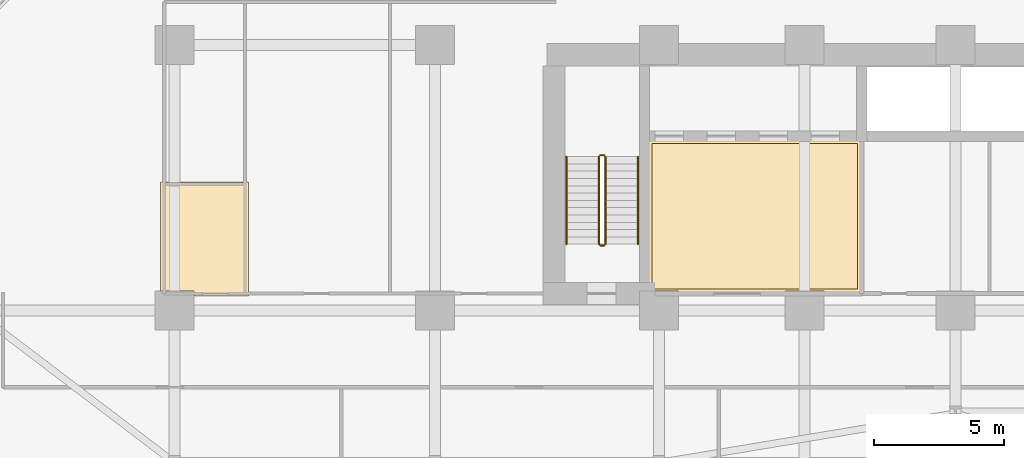
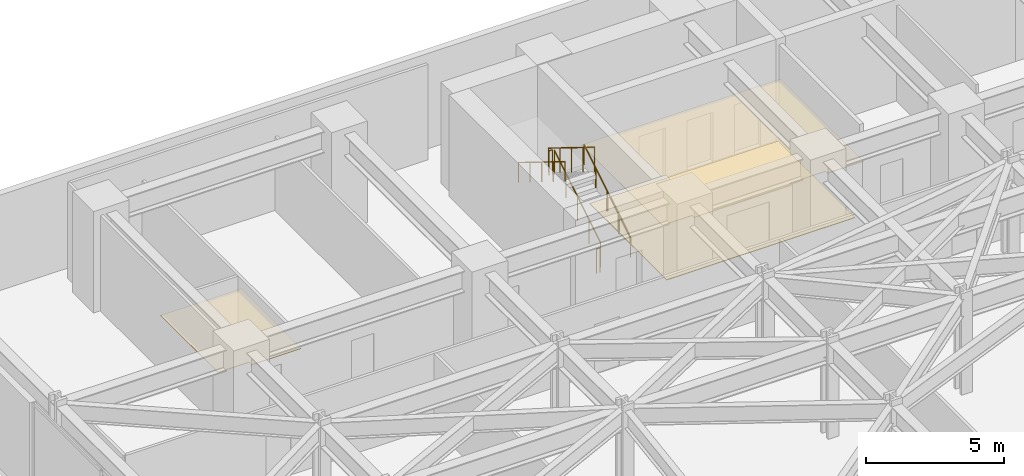
# One storey, part 27 of 28: 6 railings, 3 coverings.
"""IFC4 building model written with IfcOpenShell, lengths in metres."""

import ifcopenshell
import ifcopenshell.guid

model = None  # the IFC model being written
_history = None  # IfcOwnerHistory: only IFC2X3 demands one
_inside = {}  # id of a spatial element -> (the spatial element, [elements in it])
_under = {}  # id of a project, library or spatial element -> (it, [spatial elements below it])
_declared = {}  # id of a project -> (the project, [libraries it declares])
_typed = {}  # id of a type object -> (the type object, [elements of that type])
_made_of = {}  # id of a material, layer set ... -> (it, [elements and type objects made of it])


def new_model(schema):
    """Start an empty IFC model of exactly this schema.

    Asked for "IFC4X3", IfcOpenShell would pick the latest addendum, in which some entities
    have other attributes; the version numbers below select the first issue.
    IFC2X3 requires an IfcOwnerHistory on every rooted entity: one is made here for all.
    """
    global model, _history
    if schema == "IFC4X3":
        model = ifcopenshell.file(schema_version=(4, 3, 0, 0))
    else:
        model = ifcopenshell.file(schema=schema)
    _inside.clear()
    _under.clear()
    _declared.clear()
    _typed.clear()
    _made_of.clear()
    _history = None
    if model.schema == "IFC2X3":
        org = make("IfcOrganization", Name="unknown")
        user = make(
            "IfcPersonAndOrganization",
            ThePerson=make("IfcPerson", FamilyName="unknown"),
            TheOrganization=org,
        )
        app = make(
            "IfcApplication",
            ApplicationDeveloper=org,
            Version="unknown",
            ApplicationFullName="unknown",
            ApplicationIdentifier="unknown",
        )
        _history = make(
            "IfcOwnerHistory",
            OwningUser=user,
            OwningApplication=app,
            ChangeAction="ADDED",
            CreationDate=0,
        )
    return model


def make(cls, **values):
    """One entity of the class cls with the attributes given. An attribute that is None is left unset."""
    return model.create_entity(
        cls, **{name: value for name, value in values.items() if value is not None}
    )


def rooted(cls, **values):
    """An entity with a GlobalId (a new one), such as an element, a storey or a relation."""
    return make(cls, GlobalId=ifcopenshell.guid.new(), OwnerHistory=_history, **values)


def si_unit(unit_type, name, prefix=None):
    """IfcSIUnit, for example si_unit("LENGTHUNIT", "METRE", prefix="MILLI")."""
    return make("IfcSIUnit", UnitType=unit_type, Prefix=prefix, Name=name)


def assignment(units):
    """IfcUnitAssignment: the units of a project."""
    return None if units is None else make("IfcUnitAssignment", Units=units)


def point(xyz):
    """IfcCartesianPoint."""
    return None if xyz is None else make("IfcCartesianPoint", Coordinates=xyz)


def direction(xyz):
    """IfcDirection."""
    return None if xyz is None else make("IfcDirection", DirectionRatios=xyz)


def frame(location, z_axis=None, x_axis=None):
    """IfcAxis2Placement3D, a coordinate frame: its origin and axes. An axis left out is left unset."""
    return make(
        "IfcAxis2Placement3D",
        Location=point(location),
        Axis=direction(z_axis),
        RefDirection=direction(x_axis),
    )


def frame_2d(location, x_axis=None):
    """IfcAxis2Placement2D, a coordinate frame in the plane: its origin and x axis."""
    return make(
        "IfcAxis2Placement2D", Location=point(location), RefDirection=direction(x_axis)
    )


def origin():
    """The frame at (0, 0, 0) with its axes left unset."""
    return frame((0.0, 0.0, 0.0))


def origin_2d():
    """The frame at (0, 0) in the plane with its x axis left unset."""
    return frame_2d((0.0, 0.0))


def place(relative_to, where):
    """IfcLocalPlacement: puts the frame where relative to a parent placement (None: the world)."""
    return make(
        "IfcLocalPlacement", PlacementRelTo=relative_to, RelativePlacement=where
    )


def context(
    kind, dimensions, precision=None, world=None, true_north=None, identifier=None
):
    """IfcGeometricRepresentationContext, for example the 3D "Model" context."""
    return make(
        "IfcGeometricRepresentationContext",
        ContextIdentifier=identifier,
        ContextType=kind,
        CoordinateSpaceDimension=dimensions,
        Precision=precision,
        WorldCoordinateSystem=world,
        TrueNorth=true_north,
    )


def subcontext(parent, identifier, kind, view, scale=None):
    """IfcGeometricRepresentationSubContext, for example "Body" below "Model"."""
    return make(
        "IfcGeometricRepresentationSubContext",
        ContextIdentifier=identifier,
        ContextType=kind,
        ParentContext=parent,
        TargetScale=scale,
        TargetView=view,
    )


def project(units=None, contexts=None):
    """IfcProject with its units and contexts."""
    return rooted(
        "IfcProject",
        Name="project",
        RepresentationContexts=contexts,
        UnitsInContext=assignment(units),
    )


def spatial(cls, under=None, at=None, **own):
    """A site, building, storey or space (cls), placed at a placement, below another one or the project."""
    s = rooted(cls, ObjectPlacement=at, **own)
    if under is not None:
        _under.setdefault(under.id(), (under, []))[1].append(s)
    return s


def polyline(points):
    """IfcPolyline through the points."""
    return make("IfcPolyline", Points=[point(p) for p in points])


def profile(cls, at=None, kind="AREA", **sizes):
    """A parametric profile (cls). Its sizes go by their IFC names, for example OverallWidth=200.0."""
    return make(cls, ProfileType=kind, Position=at, **sizes)


def circle(**sizes):
    """IfcCircleProfileDef."""
    return profile("IfcCircleProfileDef", **sizes)


def outline(outer, holes=None, kind="AREA"):
    """IfcArbitraryClosedProfileDef: a profile drawn as a closed curve; with holes, ...WithVoids."""
    if holes is None:
        return make("IfcArbitraryClosedProfileDef", ProfileType=kind, OuterCurve=outer)
    return make(
        "IfcArbitraryProfileDefWithVoids",
        ProfileType=kind,
        OuterCurve=outer,
        InnerCurves=holes,
    )


def extrude(swept, where, along, depth):
    """IfcExtrudedAreaSolid: the profile swept, set in the frame where, extruded along a direction by depth."""
    return make(
        "IfcExtrudedAreaSolid",
        SweptArea=swept,
        Position=where,
        ExtrudedDirection=direction(along),
        Depth=depth,
    )


def shape(context_of_items, identifier, shape_type, items):
    """IfcShapeRepresentation: the items that make up one representation, for example the "Body"."""
    return make(
        "IfcShapeRepresentation",
        ContextOfItems=context_of_items,
        RepresentationIdentifier=identifier,
        RepresentationType=shape_type,
        Items=items,
    )


def material(Name=None, Category=None):
    """IfcMaterial."""
    return make("IfcMaterial", Name=Name, Category=Category)


def layer(
    of_material, thickness, ventilated=None, Name=None, Category=None, Priority=None
):
    """IfcMaterialLayer: one layer of a wall or slab, of a material (None: an air gap)."""
    return make(
        "IfcMaterialLayer",
        Material=of_material,
        LayerThickness=thickness,
        IsVentilated=ventilated,
        Name=Name,
        Category=Category,
        Priority=Priority,
    )


def layer_set(layers, Name=None):
    """IfcMaterialLayerSet."""
    return make("IfcMaterialLayerSet", MaterialLayers=layers, LayerSetName=Name)


def made_of(thing, what):
    """Note that an element or type object is made of a material, layer set ...; save() writes the relation."""
    if what is not None:
        _made_of.setdefault(what.id(), (what, []))[1].append(thing)
    return thing


def type_object(cls, material=None, **own):
    """A type object (cls), such as IfcWallType, which elements share."""
    return made_of(rooted(cls, **own), material)


def element(
    cls,
    number,
    at=None,
    inside=None,
    cuts=None,
    type_object=None,
    material=None,
    context=None,
    identifier="Body",
    shape_type=None,
    held_by="IfcProductDefinitionShape",
    body=None,
    shapes=None,
    **own,
):
    """One element of the class cls, such as IfcWall. Its Tag is "e" and its number.

    at: its placement. inside: the storey or other place that contains it. cuts: it is an
    opening in that element (IfcRelVoidsElement). A single representation is given by context,
    identifier, shape_type and body (its items); several are given by shapes. held_by: the class
    of the entity that holds the representations. save() writes the other relations.
    """
    e = rooted(cls, Tag="e%d" % number, ObjectPlacement=at, **own)
    if body is not None:
        shapes = [shape(context, identifier, shape_type, body)]
    if shapes is not None:
        e.Representation = make(held_by, Representations=shapes)
    if inside is not None:
        _inside.setdefault(inside.id(), (inside, []))[1].append(e)
    if cuts is not None:
        rooted(
            "IfcRelVoidsElement", RelatingBuildingElement=cuts, RelatedOpeningElement=e
        )
    if type_object is not None:
        _typed.setdefault(type_object.id(), (type_object, []))[1].append(e)
    return made_of(e, material)


def aggregate(whole, parts):
    """IfcRelAggregates: a whole, such as a stair, and the parts it consists of."""
    return rooted("IfcRelAggregates", RelatingObject=whole, RelatedObjects=parts)


def save(model, path):
    """Write the relations noted so far, then the file.

    IfcRelAggregates (storeys below a building ...), IfcRelContainedInSpatialStructure (elements
    in a storey), IfcRelDefinesByType, IfcRelAssociatesMaterial and IfcRelDeclares: one each for
    every whole, place, type object, material and project.
    """
    for whole, parts in _under.values():
        aggregate(whole, parts)
    for where, things in _inside.values():
        rooted(
            "IfcRelContainedInSpatialStructure",
            RelatedElements=things,
            RelatingStructure=where,
        )
    for kind, things in _typed.values():
        rooted("IfcRelDefinesByType", RelatedObjects=things, RelatingType=kind)
    for what, things in _made_of.values():
        rooted("IfcRelAssociatesMaterial", RelatedObjects=things, RelatingMaterial=what)
    for by, libraries in _declared.values():
        rooted("IfcRelDeclares", RelatingContext=by, RelatedDefinitions=libraries)
    model.write(path)


model = new_model("IFC4")

# Units and contexts
model_context = context("Model", 3, precision=1e-05, world=origin(), true_north=direction((0.0, 1.0)))
body_context = subcontext(model_context, "Body", "Model", "MODEL_VIEW")
ifc_project = project(units=[si_unit("LENGTHUNIT", "METRE"), si_unit("AREAUNIT", "SQUARE_METRE"), si_unit("VOLUMEUNIT", "CUBIC_METRE"), si_unit("PLANEANGLEUNIT", "RADIAN"), si_unit("MASSUNIT", "GRAM", prefix="KILO")], contexts=[model_context])

# Site, building, storey
site_placement = place(None, origin())
site = spatial("IfcSite", under=ifc_project, at=site_placement, CompositionType="ELEMENT")
building_placement = place(site_placement, origin())
building = spatial("IfcBuilding", under=site, at=building_placement, Name="Kravanh Interchange Tower", CompositionType="ELEMENT")
storey_placement = place(building_placement, frame((0.0, 0.0, 10.800048828125)))
storey = spatial("IfcBuildingStorey", under=building, at=storey_placement, Name="L02", CompositionType="ELEMENT", Elevation=10.800048828125)

# Coverings
ifc_material_1 = material(Name="Cementitious Terrazzo Tile")
ifc_layer_1 = layer(ifc_material_1, 0.030029296875)
ifc_layer_set_1 = layer_set([ifc_layer_1], Name="Honed Terrazzo Lobby Flooring 30mm")
covering_type_1 = type_object("IfcCoveringType", Name="Honed Terrazzo Lobby Flooring 30mm", PredefinedType="FLOORING", material=ifc_layer_set_1)
covering_1_placement = place(storey_placement, origin())
element("IfcCovering", 1, at=covering_1_placement, inside=storey, type_object=covering_type_1, Name="L02 Low-Rise Lift Lobby Floor Finish", PredefinedType="FLOORING", context=body_context, shape_type="SweptSolid", body=[
    extrude(outline(polyline([(26.929931640625, 43.77001953125), (34.840087890625, 43.77001953125), (34.840087890625, 38.179931640625), (26.929931640625, 38.179931640625), (26.929931640625, 43.77001953125)])), origin(), (0.0, 0.0, 1.0), 0.030029296875),
])
ifc_material_2 = material(Name="Acoustic Mineral Fibre Tile on Aluminium Grid", Category="aluminium")
ifc_layer_2 = layer(ifc_material_2, 0.02490234375)
ifc_layer_set_2 = layer_set([ifc_layer_2], Name="Perforated Acoustic Mineral Ceiling 25mm")
covering_type_2 = type_object("IfcCoveringType", Name="Perforated Acoustic Mineral Ceiling 25mm", PredefinedType="CEILING", material=ifc_layer_set_2)
covering_2_placement = place(storey_placement, frame((0.0, 0.0, 2.550048828125)))
element("IfcCovering", 2, at=covering_2_placement, inside=storey, type_object=covering_type_2, Name="L02 Low-Rise Lift Lobby Suspended Ceiling", PredefinedType="CEILING", context=body_context, shape_type="SweptSolid", body=[
    extrude(outline(polyline([(35.06005859375, 37.9599609375), (33.550048828125, 37.9599609375), (33.550048828125, 38.10009765625), (32.050048828125, 38.10009765625), (32.050048828125, 37.9599609375), (27.949951171875, 37.9599609375), (27.949951171875, 38.10009765625), (26.7099609375, 38.10009765625), (26.7099609375, 43.989990234375), (35.06005859375, 43.989990234375), (35.06005859375, 37.9599609375)])), origin(), (0.0, 0.0, 1.0), 0.02490234375),
])
covering_3_placement = place(storey_placement, frame((0.0, 0.0, 2.550048828125)))
element("IfcCovering", 3, at=covering_3_placement, inside=storey, type_object=covering_type_2, Name="L02 Accessible WC Suspended Ceiling", PredefinedType="CEILING", context=body_context, shape_type="SweptSolid", body=[
    extrude(outline(polyline([(8.06005859375, 42.280029296875), (11.43994140625, 42.280029296875), (11.43994140625, 37.909912109375), (9.35009765625, 37.909912109375), (9.35009765625, 38.10009765625), (8.06005859375, 38.10009765625), (8.06005859375, 42.280029296875)])), origin(), (0.0, 0.0, 1.0), 0.02490234375),
])

# Railings
ifc_material_3 = material(Name="Structural Steel S355", Category="steel")
ifc_layer_3 = layer(ifc_material_3, 0.050048828125)
ifc_layer_set_3 = layer_set([ifc_layer_3], Name="Stair Well Guardrail Structural Steel S355 1100mm")
railing_type_1 = type_object("IfcRailingType", Name="Stair Well Guardrail Structural Steel S355 1100mm", PredefinedType="GUARDRAIL", material=ifc_layer_set_3)
railing_1_placement = place(storey_placement, frame((25.14990234375, 39.89990234375, 0.173095703125)))
element("IfcRailing", 4, at=railing_1_placement, inside=storey, type_object=railing_type_1, Name="L02 ST3 stair guard 1", PredefinedType="GUARDRAIL", context=body_context, shape_type="SweptSolid", body=[
    extrude(circle(Radius=0.02392578125, at=origin_2d()), frame((0.0, 0.0, 1.076171875), z_axis=(0.0, 0.850623216509, 0.525775754039), x_axis=(-1.0, 0.0, 0.0)), (0.0, 0.0, 1.0), 3.9501953125),
    extrude(circle(Radius=0.02099609375, at=origin_2d()), origin(), (0.0, 0.0, 1.0), 1.052001953125),
    extrude(circle(Radius=0.02099609375, at=origin_2d()), frame((0.0, 0.840087890625, 0.519287109375)), (0.0, 0.0, 1.0), 1.052001953125),
    extrude(circle(Radius=0.02099609375, at=origin_2d()), frame((0.0, 1.68017578125, 1.03857421875)), (0.0, 0.0, 1.0), 1.052001953125),
    extrude(circle(Radius=0.02099609375, at=origin_2d()), frame((0.0, 2.52001953125, 1.5576171875)), (0.0, 0.0, 1.0), 1.052001953125),
    extrude(circle(Radius=0.02099609375, at=origin_2d()), frame((0.0, 3.360107421875, 2.076904296875)), (0.0, 0.0, 1.0), 1.052001953125),
])
railing_2_placement = place(storey_placement, frame((25.10009765625, 43.31005859375, 2.25)))
element("IfcRailing", 5, at=railing_2_placement, inside=storey, type_object=railing_type_1, Name="L02 ST3 stair guard 2", PredefinedType="GUARDRAIL", context=body_context, shape_type="SweptSolid", body=[
    extrude(circle(Radius=0.02392578125, at=origin_2d()), frame((0.0, 0.0, 1.076171875), z_axis=(-1.0, 0.0, 0.0), x_axis=(0.0, -1.0, 0.0)), (0.0, 0.0, 1.0), 0.150146484375),
    extrude(circle(Radius=0.02099609375, at=origin_2d()), origin(), (0.0, 0.0, 1.0), 1.052001953125),
    extrude(circle(Radius=0.02099609375, at=origin_2d()), frame((-0.150146484375, 0.0, 0.0)), (0.0, 0.0, 1.0), 1.052001953125),
])
railing_3_placement = place(storey_placement, frame((24.89990234375, 43.260009765625, 2.423095703125)))
element("IfcRailing", 6, at=railing_3_placement, inside=storey, type_object=railing_type_1, Name="L02 ST3 stair guard 3", PredefinedType="GUARDRAIL", context=body_context, shape_type="SweptSolid", body=[
    extrude(circle(Radius=0.02392578125, at=origin_2d()), frame((0.0, 0.0, 1.076171875), z_axis=(0.0, -0.850623216509, 0.525775754039), x_axis=(1.0, 0.0, 0.0)), (0.0, 0.0, 1.0), 3.9501953125),
    extrude(circle(Radius=0.02099609375, at=origin_2d()), origin(), (0.0, 0.0, 1.0), 1.052001953125),
    extrude(circle(Radius=0.02099609375, at=origin_2d()), frame((0.0, -0.840087890625, 0.519287109375)), (0.0, 0.0, 1.0), 1.052001953125),
    extrude(circle(Radius=0.02099609375, at=origin_2d()), frame((0.0, -1.68017578125, 1.03857421875)), (0.0, 0.0, 1.0), 1.052001953125),
    extrude(circle(Radius=0.02099609375, at=origin_2d()), frame((0.0, -2.52001953125, 1.5576171875)), (0.0, 0.0, 1.0), 1.052001953125),
    extrude(circle(Radius=0.02099609375, at=origin_2d()), frame((0.0, -3.360107421875, 2.076904296875)), (0.0, 0.0, 1.0), 1.052001953125),
])
railing_4_placement = place(storey_placement, frame((25.10009765625, 39.85009765625, 0.0)))
element("IfcRailing", 7, at=railing_4_placement, inside=storey, type_object=railing_type_1, Name="L02 ST3 stair guard 4", PredefinedType="GUARDRAIL", context=body_context, shape_type="SweptSolid", body=[
    extrude(circle(Radius=0.02392578125, at=origin_2d()), frame((0.0, 0.0, 1.076171875), z_axis=(-1.0, 0.0, 0.0), x_axis=(0.0, -1.0, 0.0)), (0.0, 0.0, 1.0), 0.150146484375),
    extrude(circle(Radius=0.02099609375, at=origin_2d()), origin(), (0.0, 0.0, 1.0), 1.052001953125),
    extrude(circle(Radius=0.02099609375, at=origin_2d()), frame((-0.150146484375, 0.0, 0.0)), (0.0, 0.0, 1.0), 1.052001953125),
])
ifc_material_4 = material(Name="Stainless Steel 304", Category="steel")
ifc_layer_4 = layer(ifc_material_4, 0.044921875)
ifc_layer_set_4 = layer_set([ifc_layer_4], Name="Tubular Stair Handrail Stainless 304 900mm")
railing_type_2 = type_object("IfcRailingType", Name="Tubular Stair Handrail Stainless 304 900mm", PredefinedType="HANDRAIL", material=ifc_layer_set_4)
railing_5_placement = place(storey_placement, frame((26.39990234375, 39.89990234375, 0.173095703125)))
element("IfcRailing", 8, at=railing_5_placement, inside=storey, type_object=railing_type_2, Name="L02 ST3 stair handrail 1", PredefinedType="HANDRAIL", context=body_context, shape_type="SweptSolid", body=[
    extrude(circle(Radius=0.02392578125, at=origin_2d()), frame((0.0, 0.0, 0.8759765625), z_axis=(0.0, 0.850623216509, 0.525775754039), x_axis=(-1.0, 0.0, 0.0)), (0.0, 0.0, 1.0), 3.9501953125),
    extrude(circle(Radius=0.02099609375, at=origin_2d()), origin(), (0.0, 0.0, 1.0), 0.851806640625),
    extrude(circle(Radius=0.02099609375, at=origin_2d()), frame((0.0, 0.840087890625, 0.519287109375)), (0.0, 0.0, 1.0), 0.851806640625),
    extrude(circle(Radius=0.02099609375, at=origin_2d()), frame((0.0, 1.68017578125, 1.03857421875)), (0.0, 0.0, 1.0), 0.851806640625),
    extrude(circle(Radius=0.02099609375, at=origin_2d()), frame((0.0, 2.52001953125, 1.5576171875)), (0.0, 0.0, 1.0), 0.851806640625),
    extrude(circle(Radius=0.02099609375, at=origin_2d()), frame((0.0, 3.360107421875, 2.076904296875)), (0.0, 0.0, 1.0), 0.851806640625),
])
railing_6_placement = place(storey_placement, frame((23.64990234375, 43.260009765625, 2.423095703125)))
element("IfcRailing", 9, at=railing_6_placement, inside=storey, type_object=railing_type_2, Name="L02 ST3 stair handrail 2", PredefinedType="HANDRAIL", context=body_context, shape_type="SweptSolid", body=[
    extrude(circle(Radius=0.02392578125, at=origin_2d()), frame((0.0, 0.0, 0.8759765625), z_axis=(0.0, -0.850623216509, 0.525775754039), x_axis=(1.0, 0.0, 0.0)), (0.0, 0.0, 1.0), 3.9501953125),
    extrude(circle(Radius=0.02099609375, at=origin_2d()), origin(), (0.0, 0.0, 1.0), 0.851806640625),
    extrude(circle(Radius=0.02099609375, at=origin_2d()), frame((0.0, -0.840087890625, 0.519287109375)), (0.0, 0.0, 1.0), 0.851806640625),
    extrude(circle(Radius=0.02099609375, at=origin_2d()), frame((0.0, -1.68017578125, 1.03857421875)), (0.0, 0.0, 1.0), 0.851806640625),
    extrude(circle(Radius=0.02099609375, at=origin_2d()), frame((0.0, -2.52001953125, 1.5576171875)), (0.0, 0.0, 1.0), 0.851806640625),
    extrude(circle(Radius=0.02099609375, at=origin_2d()), frame((0.0, -3.360107421875, 2.076904296875)), (0.0, 0.0, 1.0), 0.851806640625),
])

save(model, "model.ifc")
